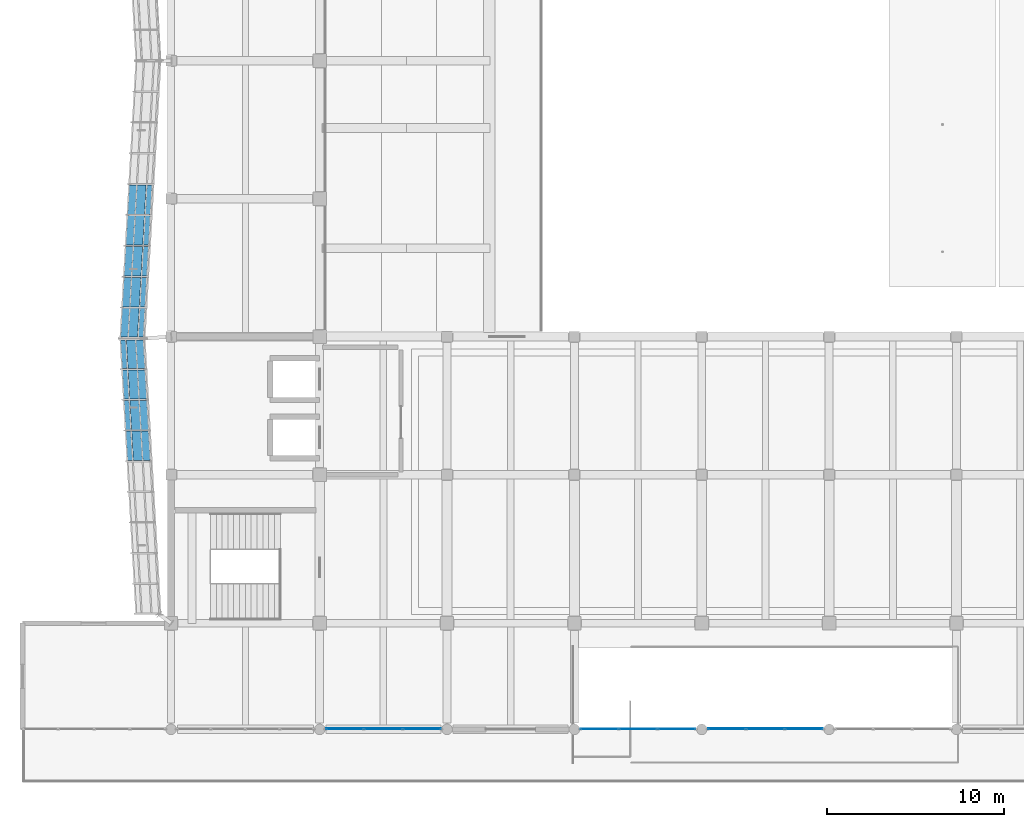
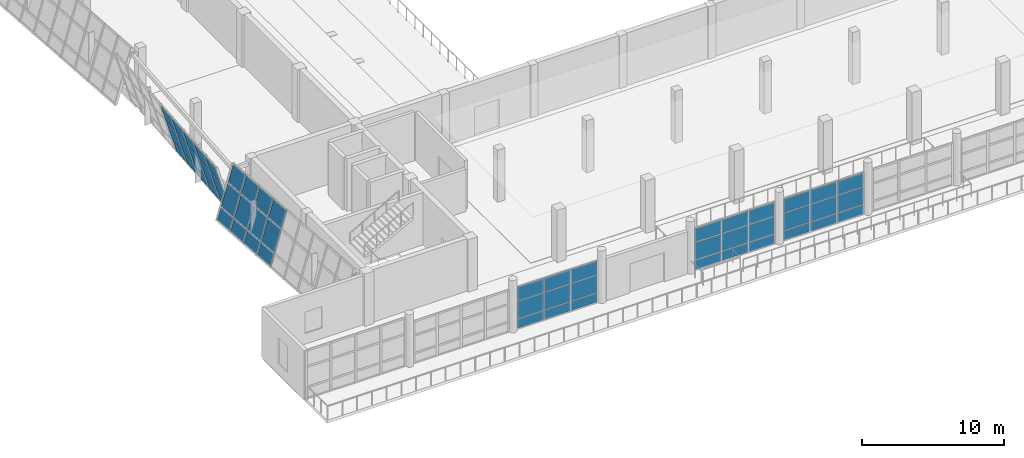
# One storey, part 38 of 71: 54 plates, 5 elements without a shape of their own.
"""IFC4 building model written with IfcOpenShell, lengths in metres."""

from ifc_helpers import new_model, si_unit, direction, frame, origin, place, context, subcontext, project, spatial, polyline, outline, extrude, material, layer, layer_set, type_object, element, aggregate, save


model = new_model("IFC4")

# Units and contexts
model_context = context("Model", 3, precision=1e-05, world=origin(), true_north=direction((0.0, 1.0)))
body_context = subcontext(model_context, "Body", "Model", "MODEL_VIEW")
ifc_project = project(units=[si_unit("LENGTHUNIT", "METRE"), si_unit("AREAUNIT", "SQUARE_METRE"), si_unit("VOLUMEUNIT", "CUBIC_METRE"), si_unit("PLANEANGLEUNIT", "RADIAN"), si_unit("MASSUNIT", "GRAM", prefix="KILO")], contexts=[model_context])

# Site, building, storey
site_placement = place(None, origin())
site = spatial("IfcSite", under=ifc_project, at=site_placement, CompositionType="ELEMENT")
building_placement = place(site_placement, origin())
building = spatial("IfcBuilding", under=site, at=building_placement, Name="Pellamere Symphony Hall", CompositionType="ELEMENT")
storey_placement = place(building_placement, frame((0.0, 0.0, 15.0)))
storey = spatial("IfcBuildingStorey", under=building, at=storey_placement, Name="L03", CompositionType="ELEMENT", Elevation=15.0)

# Curtain wall, plates
ifc_material_1 = material(Name="Thermally Broken Anodised Aluminium 6063-T6 Curtain Wall", Category="aluminium")
curtain_wall_type_1 = type_object("IfcCurtainWallType", Name="Curtain Wall CW-02 (Winter-Garden South Concourse Curtain Wall)", PredefinedType="NOTDEFINED", material=ifc_material_1)
curtain_wall_1_placement = place(storey_placement, origin())
curtain_wall_1 = element("IfcCurtainWall", 1, at=curtain_wall_1_placement, inside=storey, type_object=curtain_wall_type_1, Name="Winter-Garden South Curtain Wall (L03 Bay 5)", PredefinedType="NOTDEFINED")
ifc_material_2 = material(Name="Triple Low-E Argon Acoustic Glazing 36mm", Category="glass")
ifc_layer_1 = layer(ifc_material_2, 0.035888671875, Name="Triple Low-E Argon Acoustic Glazing 36mm")
ifc_layer_set_1 = layer_set([ifc_layer_1], Name="Triple Low-E Argon Acoustic Glazing 36mm")
plate_type_1 = type_object("IfcPlateType", Name="Facade Panel GL-01 36mm", PredefinedType="CURTAIN_PANEL", material=ifc_layer_set_1)
plate_1_placement = place(storey_placement, frame((73.56494140625, 24.0, 0.06494140625), z_axis=(0.0, -1.0, 0.0), x_axis=(1.0, 0.0, 0.0)))
plate_1 = element("IfcPlate", 2, at=plate_1_placement, type_object=plate_type_1, Name="CW2-089 crystal glass panel 1.1", PredefinedType="CURTAIN_PANEL", context=body_context, shape_type="SweptSolid", body=[
    extrude(outline(polyline([(0.0, 0.0), (2.1025390625, 0.0), (2.1025390625, 0.776123046875), (0.0, 0.776123046875), (0.0, 0.0)])), origin(), (0.0, 0.0, -1.0), 0.035888671875),
])
plate_2_placement = place(storey_placement, frame((73.56494140625, 24.0, 0.906005859375), z_axis=(0.0, -1.0, 0.0), x_axis=(1.0, 0.0, 0.0)))
plate_2 = element("IfcPlate", 3, at=plate_2_placement, type_object=plate_type_1, Name="CW2-089 crystal glass panel 1.2", PredefinedType="CURTAIN_PANEL", context=body_context, shape_type="SweptSolid", body=[
    extrude(outline(polyline([(0.0, 0.0), (2.1025390625, 0.0), (2.1025390625, 1.4638671875), (0.0, 1.4638671875), (0.0, 0.0)])), origin(), (0.0, 0.0, -1.0), 0.035888671875),
])
plate_3_placement = place(storey_placement, frame((73.56494140625, 24.0, 2.434814453125), z_axis=(0.0, -1.0, 0.0), x_axis=(1.0, 0.0, 0.0)))
plate_3 = element("IfcPlate", 4, at=plate_3_placement, type_object=plate_type_1, Name="CW2-089 crystal glass panel 1.3", PredefinedType="CURTAIN_PANEL", context=body_context, shape_type="SweptSolid", body=[
    extrude(outline(polyline([(0.0, 0.0), (2.1025390625, 0.0), (2.1025390625, 1.14013671875), (0.0, 1.14013671875), (0.0, 0.0)])), origin(), (0.0, 0.0, -1.0), 0.035888671875),
])
plate_4_placement = place(storey_placement, frame((75.732421875, 24.0, 0.06494140625), z_axis=(0.0, -1.0, 0.0), x_axis=(1.0, 0.0, 0.0)))
plate_4 = element("IfcPlate", 5, at=plate_4_placement, type_object=plate_type_1, Name="CW2-089 crystal glass panel 2.1", PredefinedType="CURTAIN_PANEL", context=body_context, shape_type="SweptSolid", body=[
    extrude(outline(polyline([(0.0, 0.0), (2.135009765625, 0.0), (2.135009765625, 0.776123046875), (0.0, 0.776123046875), (0.0, 0.0)])), origin(), (0.0, 0.0, -1.0), 0.035888671875),
])
plate_5_placement = place(storey_placement, frame((75.732421875, 24.0, 0.906005859375), z_axis=(0.0, -1.0, 0.0), x_axis=(1.0, 0.0, 0.0)))
plate_5 = element("IfcPlate", 6, at=plate_5_placement, type_object=plate_type_1, Name="CW2-089 crystal glass panel 2.2", PredefinedType="CURTAIN_PANEL", context=body_context, shape_type="SweptSolid", body=[
    extrude(outline(polyline([(0.0, 0.0), (2.135009765625, 0.0), (2.135009765625, 1.4638671875), (0.0, 1.4638671875), (0.0, 0.0)])), origin(), (0.0, 0.0, -1.0), 0.035888671875),
])
plate_6_placement = place(storey_placement, frame((75.732421875, 24.0, 2.434814453125), z_axis=(0.0, -1.0, 0.0), x_axis=(1.0, 0.0, 0.0)))
plate_6 = element("IfcPlate", 7, at=plate_6_placement, type_object=plate_type_1, Name="CW2-089 crystal glass panel 2.3", PredefinedType="CURTAIN_PANEL", context=body_context, shape_type="SweptSolid", body=[
    extrude(outline(polyline([(0.0, 0.0), (2.135009765625, 0.0), (2.135009765625, 1.14013671875), (0.0, 1.14013671875), (0.0, 0.0)])), origin(), (0.0, 0.0, -1.0), 0.035888671875),
])
plate_7_placement = place(storey_placement, frame((77.9326171875, 24.0, 0.06494140625), z_axis=(0.0, -1.0, 0.0), x_axis=(1.0, 0.0, 0.0)))
plate_7 = element("IfcPlate", 8, at=plate_7_placement, type_object=plate_type_1, Name="CW2-089 crystal glass panel 3.1", PredefinedType="CURTAIN_PANEL", context=body_context, shape_type="SweptSolid", body=[
    extrude(outline(polyline([(0.0, 0.0), (2.102294921875, 0.0), (2.102294921875, 0.776123046875), (0.0, 0.776123046875), (0.0, 0.0)])), origin(), (0.0, 0.0, -1.0), 0.035888671875),
])
plate_8_placement = place(storey_placement, frame((77.9326171875, 24.0, 0.906005859375), z_axis=(0.0, -1.0, 0.0), x_axis=(1.0, 0.0, 0.0)))
plate_8 = element("IfcPlate", 9, at=plate_8_placement, type_object=plate_type_1, Name="CW2-089 crystal glass panel 3.2", PredefinedType="CURTAIN_PANEL", context=body_context, shape_type="SweptSolid", body=[
    extrude(outline(polyline([(0.0, 0.0), (2.102294921875, 0.0), (2.102294921875, 1.4638671875), (0.0, 1.4638671875), (0.0, 0.0)])), origin(), (0.0, 0.0, -1.0), 0.035888671875),
])
plate_9_placement = place(storey_placement, frame((77.9326171875, 24.0, 2.434814453125), z_axis=(0.0, -1.0, 0.0), x_axis=(1.0, 0.0, 0.0)))
plate_9 = element("IfcPlate", 10, at=plate_9_placement, type_object=plate_type_1, Name="CW2-089 crystal glass panel 3.3", PredefinedType="CURTAIN_PANEL", context=body_context, shape_type="SweptSolid", body=[
    extrude(outline(polyline([(0.0, 0.0), (2.102294921875, 0.0), (2.102294921875, 1.14013671875), (0.0, 1.14013671875), (0.0, 0.0)])), origin(), (0.0, 0.0, -1.0), 0.035888671875),
])
aggregate(curtain_wall_1, [plate_1, plate_2, plate_3, plate_4, plate_5, plate_6, plate_7, plate_8, plate_9])

curtain_wall_type_2 = type_object("IfcCurtainWallType", Name="Curtain Wall CW-01 (Tilted Faceted Crystal Low-Iron Curtain Wall)", PredefinedType="NOTDEFINED", material=ifc_material_1)
curtain_wall_2_placement = place(storey_placement, origin())
curtain_wall_2 = element("IfcCurtainWall", 11, at=curtain_wall_2_placement, inside=storey, type_object=curtain_wall_type_2, Name="Crystal Faceted Curtain Wall CW-CR17 (L03)", PredefinedType="NOTDEFINED")
ifc_material_3 = material(Name="Triple Laminated Acoustic Crystal Glazing 42mm", Category="glass")
ifc_layer_2 = layer(ifc_material_3, 0.0419921875, Name="Triple Laminated Acoustic Crystal Glazing 42mm")
ifc_layer_set_2 = layer_set([ifc_layer_2], Name="Triple Laminated Acoustic Crystal Glazing 42mm")
plate_type_2 = type_object("IfcPlateType", Name="Facade Panel GL-02 42mm", PredefinedType="CURTAIN_PANEL", material=ifc_layer_set_2)
plate_10_placement = place(storey_placement, frame((49.32666015625, 54.78466796875, 0.072021484375), z_axis=(0.957324034181, -0.054880231266, 0.283758442686), x_axis=(-0.057232737422, -0.998360863499, 0.0)))
plate_10 = element("IfcPlate", 12, at=plate_10_placement, type_object=plate_type_2, Name="CW1-050 crystal glass panel 5.1", PredefinedType="CURTAIN_PANEL", context=body_context, shape_type="SweptSolid", body=[
    extrude(outline(polyline([(0.0, 0.0), (1.6721745160346768, 6.938893903907228e-18), (1.6886624628505897, -1.013586494914077), (0.01648794681591293, -1.013586494914077), (0.0, 0.0)])), origin(), (0.0, 0.0, -1.0), 0.0419921875),
])
plate_11_placement = place(storey_placement, frame((49.017333984375, 54.78466796875, 1.115966796875), z_axis=(0.957371163384, -0.054882933028, 0.283598870206), x_axis=(-0.057232737422, -0.998360863499, 0.0)))
plate_11 = element("IfcPlate", 13, at=plate_11_placement, type_object=plate_type_2, Name="CW1-050 crystal glass panel 5.2", PredefinedType="CURTAIN_PANEL", context=body_context, shape_type="SweptSolid", body=[
    extrude(outline(polyline([(0.0, 0.0), (1.6721745160346768, -3.469446951953614e-18), (1.7029985928786633, -1.8959575604045968), (0.030824076843986373, -1.895957560404597), (0.0, 0.0)])), origin(), (0.0, 0.0, -1.0), 0.0419921875),
])
plate_12_placement = place(storey_placement, frame((48.45751953125, 54.78466796875, 3.005859375), z_axis=(0.95734975691, -0.054881705866, 0.283671361447), x_axis=(-0.057232737422, -0.998360863499, 0.0)))
plate_12 = element("IfcPlate", 14, at=plate_12_placement, type_object=plate_type_2, Name="CW1-050 crystal glass panel 5.3", PredefinedType="CURTAIN_PANEL", context=body_context, shape_type="SweptSolid", body=[
    extrude(outline(polyline([(0.0, 0.0), (1.6721745160346768, 3.469446951953614e-18), (1.6962916314620207, -1.4830401146342416), (0.024117115427343825, -1.4830401146342416), (0.0, 0.0)])), origin(), (0.0, 0.0, -1.0), 0.0419921875),
])
plate_13_placement = place(storey_placement, frame((49.2265625, 53.040283203125, 0.072021484375), z_axis=(0.957324034181, -0.054880231266, 0.283758442686), x_axis=(-0.057232737422, -0.998360863499, 0.0)))
plate_13 = element("IfcPlate", 15, at=plate_13_placement, type_object=plate_type_2, Name="CW1-050 crystal glass panel 6.1", PredefinedType="CURTAIN_PANEL", context=body_context, shape_type="SweptSolid", body=[
    extrude(outline(polyline([(0.0, 0.0), (1.6721745160346768, 6.938893903907228e-18), (1.6886624628505897, -1.013586494914077), (0.01648794681591293, -1.013586494914077), (0.0, 0.0)])), origin(), (0.0, 0.0, -1.0), 0.0419921875),
])
plate_14_placement = place(storey_placement, frame((48.917236328125, 53.040283203125, 1.115966796875), z_axis=(0.957371163384, -0.054882933028, 0.283598870206), x_axis=(-0.057232737422, -0.998360863499, 0.0)))
plate_14 = element("IfcPlate", 16, at=plate_14_placement, type_object=plate_type_2, Name="CW1-050 crystal glass panel 6.2", PredefinedType="CURTAIN_PANEL", context=body_context, shape_type="SweptSolid", body=[
    extrude(outline(polyline([(0.0, 0.0), (1.6721745160346768, -3.469446951953614e-18), (1.7029985928786633, -1.8959575604045968), (0.030824076843986373, -1.895957560404597), (0.0, 0.0)])), origin(), (0.0, 0.0, -1.0), 0.0419921875),
])
plate_15_placement = place(storey_placement, frame((48.357421875, 53.040283203125, 3.005859375), z_axis=(0.95734975691, -0.054881705866, 0.283671361447), x_axis=(-0.057232737422, -0.998360863499, 0.0)))
plate_15 = element("IfcPlate", 17, at=plate_15_placement, type_object=plate_type_2, Name="CW1-050 crystal glass panel 6.3", PredefinedType="CURTAIN_PANEL", context=body_context, shape_type="SweptSolid", body=[
    extrude(outline(polyline([(0.0, 0.0), (1.6721745160346768, 3.469446951953614e-18), (1.6962916314620207, -1.4830401146342416), (0.024117115427343825, -1.4830401146342416), (0.0, 0.0)])), origin(), (0.0, 0.0, -1.0), 0.0419921875),
])
plate_16_placement = place(storey_placement, frame((49.12646484375, 51.2958984375, 0.072021484375), z_axis=(0.957389759102, -0.05487597391, 0.283537434308), x_axis=(-0.057224396245, -0.998361341637, 0.0)))
plate_16 = element("IfcPlate", 18, at=plate_16_placement, type_object=plate_type_2, Name="CW1-050 crystal glass panel 7.1", PredefinedType="CURTAIN_PANEL", context=body_context, shape_type="SweptSolid", body=[
    extrude(outline(polyline([(0.0, 0.0), (1.6724182565382377, 0.0), (1.6888898295785688, -1.0135173974762153), (0.016471573040331075, -1.0135173974762153), (0.0, 0.0)])), origin(), (0.0, 0.0, -1.0), 0.0419921875),
])
plate_17_placement = place(storey_placement, frame((48.8173828125, 51.2958984375, 1.115966796875), z_axis=(0.957371585014, -0.054874932201, 0.283598995104), x_axis=(-0.057224396245, -0.998361341637, 0.0)))
plate_17 = element("IfcPlate", 19, at=plate_17_placement, type_object=plate_type_2, Name="CW1-050 crystal glass panel 7.2", PredefinedType="CURTAIN_PANEL", context=body_context, shape_type="SweptSolid", body=[
    extrude(outline(polyline([(0.0, 0.0), (1.6724182565382377, -3.469446951953614e-18), (1.703237841039485, -1.895957633434831), (0.030819584501247117, -1.895957633434831), (0.0, 0.0)])), origin(), (0.0, 0.0, -1.0), 0.0419921875),
])
plate_18_placement = place(storey_placement, frame((48.25732421875, 51.2958984375, 3.005859375), z_axis=(0.957394802248, -0.054876262974, 0.283520349164), x_axis=(-0.057224396245, -0.998361341637, 0.0)))
plate_18 = element("IfcPlate", 20, at=plate_18_placement, type_object=plate_type_2, Name="CW1-050 crystal glass panel 7.3", PredefinedType="CURTAIN_PANEL", context=body_context, shape_type="SweptSolid", body=[
    extrude(outline(polyline([(0.0, 0.0), (1.6724182565382377, 3.469446951953614e-18), (1.6965178863046255, -1.482971047959765), (0.024099629766387704, -1.482971047959765), (0.0, 0.0)])), origin(), (0.0, 0.0, -1.0), 0.0419921875),
])
plate_19_placement = place(storey_placement, frame((49.026611328125, 49.551513671875, 0.072021484375), z_axis=(0.957324455748, -0.054872230831, 0.283758567642), x_axis=(-0.057224396245, -0.998361341637, 0.0)))
plate_19 = element("IfcPlate", 21, at=plate_19_placement, type_object=plate_type_2, Name="CW1-050 crystal glass panel 8.1", PredefinedType="CURTAIN_PANEL", context=body_context, shape_type="SweptSolid", body=[
    extrude(outline(polyline([(0.0, 0.0), (1.6724182565382377, 0.0), (1.6889038003784336, -1.0135865340002803), (0.016485543840195648, -1.0135865340002805), (0.0, 0.0)])), origin(), (0.0, 0.0, -1.0), 0.0419921875),
])
plate_20_placement = place(storey_placement, frame((48.71728515625, 49.551513671875, 1.115966796875), z_axis=(0.957371585014, -0.054874932201, 0.283598995104), x_axis=(-0.057224396245, -0.998361341637, 0.0)))
plate_20 = element("IfcPlate", 22, at=plate_20_placement, type_object=plate_type_2, Name="CW1-050 crystal glass panel 8.2", PredefinedType="CURTAIN_PANEL", context=body_context, shape_type="SweptSolid", body=[
    extrude(outline(polyline([(0.0, 0.0), (1.6724182565382377, -3.469446951953614e-18), (1.703237841039485, -1.895957633434831), (0.030819584501247117, -1.895957633434831), (0.0, 0.0)])), origin(), (0.0, 0.0, -1.0), 0.0419921875),
])
plate_21_placement = place(storey_placement, frame((48.157470703125, 49.551513671875, 3.005859375), z_axis=(0.957350178511, -0.054873705217, 0.283671486371), x_axis=(-0.057224396245, -0.998361341637, 0.0)))
plate_21 = element("IfcPlate", 23, at=plate_21_placement, type_object=plate_type_2, Name="CW1-050 crystal glass panel 8.3", PredefinedType="CURTAIN_PANEL", context=body_context, shape_type="SweptSolid", body=[
    extrude(outline(polyline([(0.0, 0.0), (1.6724182565382377, -3.469446951953614e-18), (1.69653185710449, -1.48304017178855), (0.024113600566252277, -1.48304017178855), (0.0, 0.0)])), origin(), (0.0, 0.0, -1.0), 0.0419921875),
])
plate_22_placement = place(storey_placement, frame((48.926513671875, 47.806884765625, 0.072021484375), z_axis=(0.957354651322, -0.054920794133, 0.283647277376), x_axis=(-0.057267086561, -0.998358893578, -2.0277222e-05)))
plate_22 = element("IfcPlate", 24, at=plate_22_placement, type_object=plate_type_2, Name="CW1-050 crystal glass panel 9.1", PredefinedType="CURTAIN_PANEL", context=body_context, shape_type="SweptSolid", body=[
    extrude(outline(polyline([(0.0, 0.0), (1.634756469169837, 3.469446951953614e-18), (1.6512346035740397, -1.0135866477473128), (0.016464153181897846, -1.0135175112981798), (0.0, 0.0)])), origin(), (0.0, 0.0, -1.0), 0.0419921875),
])
plate_23_placement = place(storey_placement, frame((48.6171875, 47.806884765625, 1.115966796875), z_axis=(0.957372886168, -0.054850234166, 0.283599380541), x_axis=(-0.057198647566, -0.998362817175, 0.0)))
plate_23 = element("IfcPlate", 25, at=plate_23_placement, type_object=plate_type_2, Name="CW1-050 crystal glass panel 9.2", PredefinedType="CURTAIN_PANEL", context=body_context, shape_type="SweptSolid", body=[
    extrude(outline(polyline([(0.0, 0.0), (1.6347564733470132, 0.0), (1.665562190273358, -1.8959578588073336), (0.03080571692634491, -1.8959578588073336), (0.0, 0.0)])), origin(), (0.0, 0.0, -1.0), 0.0419921875),
])
plate_24_placement = place(storey_placement, frame((48.057373046875, 47.806884765625, 3.005859375), z_axis=(0.957370031361, -0.054921676444, 0.283595191264), x_axis=(-0.05726708876, -0.998358893452, -2.0273825e-05)))
plate_24 = element("IfcPlate", 26, at=plate_24_placement, type_object=plate_type_2, Name="CW1-050 crystal glass panel 9.3", PredefinedType="CURTAIN_PANEL", context=body_context, shape_type="SweptSolid", body=[
    extrude(outline(polyline([(0.0, 0.0), (1.634756469169703, 0.0), (1.6588592280006327, -1.4830403434262498), (0.024088777608087905, -1.482971219672634), (0.0, 0.0)])), origin(), (0.0, 0.0, -1.0), 0.0419921875),
])
aggregate(curtain_wall_2, [plate_10, plate_11, plate_12, plate_13, plate_14, plate_15, plate_16, plate_17, plate_18, plate_19, plate_20, plate_21, plate_22, plate_23, plate_24])

curtain_wall_3_placement = place(storey_placement, origin())
curtain_wall_3 = element("IfcCurtainWall", 27, at=curtain_wall_3_placement, inside=storey, type_object=curtain_wall_type_2, Name="Crystal Faceted Curtain Wall CW-CR18 (L03)", PredefinedType="NOTDEFINED")
plate_25_placement = place(storey_placement, frame((47.542724609375, 46.025146484375, 0.072021484375), z_axis=(-0.957371473548, -0.05522187867, 0.283532018918), x_axis=(0.057585007883, -0.99834060664, 0.0)))
plate_25 = element("IfcPlate", 28, at=plate_25_placement, type_object=plate_type_2, Name="CW1-055 crystal glass panel 1.1", PredefinedType="CURTAIN_PANEL", context=body_context, shape_type="SweptSolid", body=[
    extrude(outline(polyline([(0.0, 0.0), (1.6237882534451713, 0.0), (1.6403636255872818, 1.0135157052279624), (0.01657537214211032, 1.0135157052279624), (0.0, 0.0)])), origin(), (0.0, 0.0, -1.0), 0.0419921875),
])
plate_26_placement = place(storey_placement, frame((47.851806640625, 46.025146484375, 1.115966796875), z_axis=(-0.957353300502, -0.055220830436, 0.283593578744), x_axis=(0.057585007883, -0.99834060664, 0.0)))
plate_26 = element("IfcPlate", 29, at=plate_26_placement, type_object=plate_type_2, Name="CW1-055 crystal glass panel 1.2", PredefinedType="CURTAIN_PANEL", context=body_context, shape_type="SweptSolid", body=[
    extrude(outline(polyline([(0.0, 0.0), (1.6237882534451713, -3.469446951953614e-18), (1.654802054077483, 1.895954466420271), (0.031013800632311597, 1.895954466420271), (0.0, 0.0)])), origin(), (0.0, 0.0, -1.0), 0.0419921875),
])
plate_27_placement = place(storey_placement, frame((48.411865234375, 46.025146484375, 3.005859375), z_axis=(-0.957376516406, -0.055222169546, 0.283514934043), x_axis=(0.057585007883, -0.99834060664, 0.0)))
plate_27 = element("IfcPlate", 30, at=plate_27_placement, type_object=plate_type_2, Name="CW1-055 crystal glass panel 1.3", PredefinedType="CURTAIN_PANEL", context=body_context, shape_type="SweptSolid", body=[
    extrude(outline(polyline([(0.0, 0.0), (1.6237882534451713, -3.469446951953614e-18), (1.648039752126376, 1.482968572173219), (0.024251498681204672, 1.482968572173219), (0.0, 0.0)])), origin(), (0.0, 0.0, -1.0), 0.0419921875),
])
plate_28_placement = place(storey_placement, frame((47.640380859375, 44.329345703125, 0.072021484375), z_axis=(-0.957305301098, -0.055234571391, 0.283752890052), x_axis=(0.057602168051, -0.998339616682, 0.0)))
plate_28 = element("IfcPlate", 31, at=plate_28_placement, type_object=plate_type_2, Name="CW1-055 crystal glass panel 2.1", PredefinedType="CURTAIN_PANEL", context=body_context, shape_type="SweptSolid", body=[
    extrude(outline(polyline([(0.0, 0.0), (1.6614500501978287, -3.469446951953614e-18), (1.6780444247828616, 1.0135847580713415), (0.01659437458503302, 1.0135847580713415), (0.0, 0.0)])), origin(), (0.0, 0.0, -1.0), 0.0419921875),
])
plate_29_placement = place(storey_placement, frame((47.94970703125, 44.329345703125, 1.115966796875), z_axis=(-0.957352427535, -0.055237290491, 0.283593320148), x_axis=(0.057602168051, -0.998339616682, 0.0)))
plate_29 = element("IfcPlate", 32, at=plate_29_placement, type_object=plate_type_2, Name="CW1-055 crystal glass panel 2.2", PredefinedType="CURTAIN_PANEL", context=body_context, shape_type="SweptSolid", body=[
    extrude(outline(polyline([(0.0, 0.0), (1.6614500501978287, -3.469446951953614e-18), (1.6924730928542548, 1.8959543152177933), (0.031023042656426136, 1.8959543152177933), (0.0, 0.0)])), origin(), (0.0, 0.0, -1.0), 0.0419921875),
])
plate_30_placement = place(storey_placement, frame((48.509521484375, 44.329345703125, 3.005859375), z_axis=(-0.957331022317, -0.055236055453, 0.283665810218), x_axis=(0.057602168051, -0.998339616682, 0.0)))
plate_30 = element("IfcPlate", 33, at=plate_30_placement, type_object=plate_type_2, Name="CW1-055 crystal glass panel 2.3", PredefinedType="CURTAIN_PANEL", context=body_context, shape_type="SweptSolid", body=[
    extrude(outline(polyline([(0.0, 0.0), (1.6614500501978287, 6.938893903907228e-18), (1.6857228387857668, 1.483037574913409), (0.02427278858793813, 1.483037574913409), (0.0, 0.0)])), origin(), (0.0, 0.0, -1.0), 0.0419921875),
])
plate_31_placement = place(storey_placement, frame((47.740478515625, 42.595947265625, 0.072021484375), z_axis=(-0.95737017047, -0.055246445874, 0.283531633003), x_axis=(0.057610619545, -0.998339129012, 0.0)))
plate_31 = element("IfcPlate", 34, at=plate_31_placement, type_object=plate_type_2, Name="CW1-055 crystal glass panel 3.1", PredefinedType="CURTAIN_PANEL", context=body_context, shape_type="SweptSolid", body=[
    extrude(outline(polyline([(0.0, 0.0), (1.6612063149993754, -3.469446951953614e-18), (1.6777890592484324, 1.0135155846352601), (0.0165827442490568, 1.0135155846352604), (0.0, 0.0)])), origin(), (0.0, 0.0, -1.0), 0.0419921875),
])
plate_32_placement = place(storey_placement, frame((48.0498046875, 42.595947265625, 1.115966796875), z_axis=(-0.957351997497, -0.055245397176, 0.283593192759), x_axis=(0.057610619545, -0.998339129012, 0.0)))
plate_32 = element("IfcPlate", 35, at=plate_32_placement, type_object=plate_type_2, Name="CW1-055 crystal glass panel 3.2", PredefinedType="CURTAIN_PANEL", context=body_context, shape_type="SweptSolid", body=[
    extrude(outline(polyline([(0.0, 0.0), (1.6612063149993754, -3.469446951953614e-18), (1.6922339094127932, 1.8959542407330272), (0.031027594413417556, 1.8959542407330272), (0.0, 0.0)])), origin(), (0.0, 0.0, -1.0), 0.0419921875),
])
plate_33_placement = place(storey_placement, frame((48.609619140625, 42.595947265625, 3.005859375), z_axis=(-0.957375213306, -0.055246736879, 0.283514548147), x_axis=(0.057610619545, -0.998339129012, 0.0)))
plate_33 = element("IfcPlate", 36, at=plate_33_placement, type_object=plate_type_2, Name="CW1-055 crystal glass panel 3.3", PredefinedType="CURTAIN_PANEL", context=body_context, shape_type="SweptSolid", body=[
    extrude(outline(polyline([(0.0, 0.0), (1.6612063149993754, -6.938893903907228e-18), (1.685468599842143, 1.482968395744147), (0.02426228484276758, 1.482968395744147), (0.0, 0.0)])), origin(), (0.0, 0.0, -1.0), 0.0419921875),
])
plate_34_placement = place(storey_placement, frame((47.840576171875, 40.862548828125, 0.072021484375), z_axis=(-0.957341250423, -0.055174311724, 0.283643306926), x_axis=(0.057531487585, -0.998343692091, -1.9953977e-05)))
plate_34 = element("IfcPlate", 37, at=plate_34_placement, type_object=plate_type_2, Name="CW1-055 crystal glass panel 4.1", PredefinedType="CURTAIN_PANEL", context=body_context, shape_type="SweptSolid", body=[
    extrude(outline(polyline([(0.0, 0.0), (1.6611922636769045, -3.469446951953614e-18), (1.6777468824677166, 1.0135854014350005), (0.016540573017476246, 1.0135162670094096), (0.0, 0.0)])), origin(), (0.0, 0.0, -1.0), 0.0419921875),
])
plate_35_placement = place(storey_placement, frame((48.149658203125, 40.862548828125, 1.115966796875), z_axis=(-0.957351997497, -0.055245397176, 0.283593192759), x_axis=(0.057610619545, -0.998339129012, 0.0)))
plate_35 = element("IfcPlate", 38, at=plate_35_placement, type_object=plate_type_2, Name="CW1-055 crystal glass panel 4.2", PredefinedType="CURTAIN_PANEL", context=body_context, shape_type="SweptSolid", body=[
    extrude(outline(polyline([(0.0, 0.0), (1.6612063149993754, -3.469446951953614e-18), (1.6922339094127932, 1.8959542407330272), (0.031027594413417556, 1.8959542407330272), (0.0, 0.0)])), origin(), (0.0, 0.0, -1.0), 0.0419921875),
])
plate_36_placement = place(storey_placement, frame((48.70947265625, 40.862548828125, 3.005859375), z_axis=(-0.957330592308, -0.055244161959, 0.283665682802), x_axis=(0.057610619545, -0.998339129012, 0.0)))
plate_36 = element("IfcPlate", 39, at=plate_36_placement, type_object=plate_type_2, Name="CW1-055 crystal glass panel 4.3", PredefinedType="CURTAIN_PANEL", context=body_context, shape_type="SweptSolid", body=[
    extrude(outline(polyline([(0.0, 0.0), (1.6612063149993754, 0.0), (1.6854826649348056, 1.4830375166207674), (0.024276349935430055, 1.4830375166207674), (0.0, 0.0)])), origin(), (0.0, 0.0, -1.0), 0.0419921875),
])
aggregate(curtain_wall_3, [plate_25, plate_26, plate_27, plate_28, plate_29, plate_30, plate_31, plate_32, plate_33, plate_34, plate_35, plate_36])

curtain_wall_4_placement = place(storey_placement, origin())
curtain_wall_4 = element("IfcCurtainWall", 40, at=curtain_wall_4_placement, inside=storey, type_object=curtain_wall_type_1, Name="Winter-Garden South Curtain Wall (L03 Bay 3)", PredefinedType="NOTDEFINED")
ifc_material_4 = material(Name="Mineral-Wool Insulated Dark Zinc Spandrel Panel", Category="aluminium")
ifc_layer_3 = layer(ifc_material_4, 0.054931640625, Name="Mineral-Wool Insulated Dark Zinc Spandrel Panel")
ifc_layer_set_3 = layer_set([ifc_layer_3], Name="Mineral-Wool Insulated Dark Zinc Spandrel Panel")
plate_type_3 = type_object("IfcPlateType", Name="Facade Panel SP-02 55mm", PredefinedType="CURTAIN_PANEL", material=ifc_layer_set_3)
plate_37_placement = place(storey_placement, frame((59.1650390625, 24.0, 0.06494140625), z_axis=(0.0, -1.0, 0.0), x_axis=(1.0, 0.0, 0.0)))
plate_37 = element("IfcPlate", 41, at=plate_37_placement, type_object=plate_type_3, Name="CW2-088 crystal glass panel 1.1", PredefinedType="CURTAIN_PANEL", context=body_context, shape_type="SweptSolid", body=[
    extrude(outline(polyline([(0.0, 0.0), (2.1025390625, 0.0), (2.1025390625, 0.776123046875), (0.0, 0.776123046875), (0.0, 0.0)])), origin(), (0.0, 0.0, -1.0), 0.054931640625),
])
plate_38_placement = place(storey_placement, frame((59.1650390625, 24.0, 0.906005859375), z_axis=(0.0, -1.0, 0.0), x_axis=(1.0, 0.0, 0.0)))
plate_38 = element("IfcPlate", 42, at=plate_38_placement, type_object=plate_type_3, Name="CW2-088 crystal glass panel 1.2", PredefinedType="CURTAIN_PANEL", context=body_context, shape_type="SweptSolid", body=[
    extrude(outline(polyline([(0.0, 0.0), (2.1025390625, 0.0), (2.1025390625, 1.4638671875), (0.0, 1.4638671875), (0.0, 0.0)])), origin(), (0.0, 0.0, -1.0), 0.054931640625),
])
plate_39_placement = place(storey_placement, frame((59.1650390625, 24.0, 2.434814453125), z_axis=(0.0, -1.0, 0.0), x_axis=(1.0, 0.0, 0.0)))
plate_39 = element("IfcPlate", 43, at=plate_39_placement, type_object=plate_type_3, Name="CW2-088 crystal glass panel 1.3", PredefinedType="CURTAIN_PANEL", context=body_context, shape_type="SweptSolid", body=[
    extrude(outline(polyline([(0.0, 0.0), (2.1025390625, 0.0), (2.1025390625, 1.14013671875), (0.0, 1.14013671875), (0.0, 0.0)])), origin(), (0.0, 0.0, -1.0), 0.054931640625),
])
plate_40_placement = place(storey_placement, frame((61.33251953125, 24.0, 0.06494140625), z_axis=(0.0, -1.0, 0.0), x_axis=(1.0, 0.0, 0.0)))
plate_40 = element("IfcPlate", 44, at=plate_40_placement, type_object=plate_type_3, Name="CW2-088 crystal glass panel 2.1", PredefinedType="CURTAIN_PANEL", context=body_context, shape_type="SweptSolid", body=[
    extrude(outline(polyline([(0.0, 0.0), (2.135009765625, 0.0), (2.135009765625, 0.776123046875), (0.0, 0.776123046875), (0.0, 0.0)])), origin(), (0.0, 0.0, -1.0), 0.054931640625),
])
plate_41_placement = place(storey_placement, frame((61.33251953125, 24.0, 0.906005859375), z_axis=(0.0, -1.0, 0.0), x_axis=(1.0, 0.0, 0.0)))
plate_41 = element("IfcPlate", 45, at=plate_41_placement, type_object=plate_type_3, Name="CW2-088 crystal glass panel 2.2", PredefinedType="CURTAIN_PANEL", context=body_context, shape_type="SweptSolid", body=[
    extrude(outline(polyline([(0.0, 0.0), (2.135009765625, 0.0), (2.135009765625, 1.4638671875), (0.0, 1.4638671875), (0.0, 0.0)])), origin(), (0.0, 0.0, -1.0), 0.054931640625),
])
plate_42_placement = place(storey_placement, frame((61.33251953125, 24.0, 2.434814453125), z_axis=(0.0, -1.0, 0.0), x_axis=(1.0, 0.0, 0.0)))
plate_42 = element("IfcPlate", 46, at=plate_42_placement, type_object=plate_type_3, Name="CW2-088 crystal glass panel 2.3", PredefinedType="CURTAIN_PANEL", context=body_context, shape_type="SweptSolid", body=[
    extrude(outline(polyline([(0.0, 0.0), (2.135009765625, 0.0), (2.135009765625, 1.14013671875), (0.0, 1.14013671875), (0.0, 0.0)])), origin(), (0.0, 0.0, -1.0), 0.054931640625),
])
plate_43_placement = place(storey_placement, frame((63.532470703125, 24.0, 0.06494140625), z_axis=(0.0, -1.0, 0.0), x_axis=(1.0, 0.0, 0.0)))
plate_43 = element("IfcPlate", 47, at=plate_43_placement, type_object=plate_type_3, Name="CW2-088 crystal glass panel 3.1", PredefinedType="CURTAIN_PANEL", context=body_context, shape_type="SweptSolid", body=[
    extrude(outline(polyline([(0.0, 0.0), (2.1025390625, 0.0), (2.1025390625, 0.776123046875), (0.0, 0.776123046875), (0.0, 0.0)])), origin(), (0.0, 0.0, -1.0), 0.054931640625),
])
plate_44_placement = place(storey_placement, frame((63.532470703125, 24.0, 0.906005859375), z_axis=(0.0, -1.0, 0.0), x_axis=(1.0, 0.0, 0.0)))
plate_44 = element("IfcPlate", 48, at=plate_44_placement, type_object=plate_type_3, Name="CW2-088 crystal glass panel 3.2", PredefinedType="CURTAIN_PANEL", context=body_context, shape_type="SweptSolid", body=[
    extrude(outline(polyline([(0.0, 0.0), (2.1025390625, 0.0), (2.1025390625, 1.4638671875), (0.0, 1.4638671875), (0.0, 0.0)])), origin(), (0.0, 0.0, -1.0), 0.054931640625),
])
plate_45_placement = place(storey_placement, frame((63.532470703125, 24.0, 2.434814453125), z_axis=(0.0, -1.0, 0.0), x_axis=(1.0, 0.0, 0.0)))
plate_45 = element("IfcPlate", 49, at=plate_45_placement, type_object=plate_type_3, Name="CW2-088 crystal glass panel 3.3", PredefinedType="CURTAIN_PANEL", context=body_context, shape_type="SweptSolid", body=[
    extrude(outline(polyline([(0.0, 0.0), (2.1025390625, 0.0), (2.1025390625, 1.14013671875), (0.0, 1.14013671875), (0.0, 0.0)])), origin(), (0.0, 0.0, -1.0), 0.054931640625),
])
aggregate(curtain_wall_4, [plate_37, plate_38, plate_39, plate_40, plate_41, plate_42, plate_43, plate_44, plate_45])

curtain_wall_5_placement = place(storey_placement, origin())
curtain_wall_5 = element("IfcCurtainWall", 50, at=curtain_wall_5_placement, inside=storey, type_object=curtain_wall_type_1, Name="Winter-Garden South Curtain Wall (L03 Bay 6)", PredefinedType="NOTDEFINED")
plate_46_placement = place(storey_placement, frame((80.764892578125, 24.0, 0.06494140625), z_axis=(0.0, -1.0, 0.0), x_axis=(1.0, 0.0, 0.0)))
plate_46 = element("IfcPlate", 51, at=plate_46_placement, type_object=plate_type_3, Name="CW2-090 crystal glass panel 1.1", PredefinedType="CURTAIN_PANEL", context=body_context, shape_type="SweptSolid", body=[
    extrude(outline(polyline([(0.0, 0.0), (2.1025390625, 0.0), (2.1025390625, 0.776123046875), (0.0, 0.776123046875), (0.0, 0.0)])), origin(), (0.0, 0.0, -1.0), 0.054931640625),
])
plate_47_placement = place(storey_placement, frame((80.764892578125, 24.0, 0.906005859375), z_axis=(0.0, -1.0, 0.0), x_axis=(1.0, 0.0, 0.0)))
plate_47 = element("IfcPlate", 52, at=plate_47_placement, type_object=plate_type_3, Name="CW2-090 crystal glass panel 1.2", PredefinedType="CURTAIN_PANEL", context=body_context, shape_type="SweptSolid", body=[
    extrude(outline(polyline([(0.0, 0.0), (2.1025390625, 0.0), (2.1025390625, 1.4638671875), (0.0, 1.4638671875), (0.0, 0.0)])), origin(), (0.0, 0.0, -1.0), 0.054931640625),
])
plate_48_placement = place(storey_placement, frame((80.764892578125, 24.0, 2.434814453125), z_axis=(0.0, -1.0, 0.0), x_axis=(1.0, 0.0, 0.0)))
plate_48 = element("IfcPlate", 53, at=plate_48_placement, type_object=plate_type_3, Name="CW2-090 crystal glass panel 1.3", PredefinedType="CURTAIN_PANEL", context=body_context, shape_type="SweptSolid", body=[
    extrude(outline(polyline([(0.0, 0.0), (2.1025390625, 0.0), (2.1025390625, 1.14013671875), (0.0, 1.14013671875), (0.0, 0.0)])), origin(), (0.0, 0.0, -1.0), 0.054931640625),
])
plate_49_placement = place(storey_placement, frame((82.9326171875, 24.0, 0.06494140625), z_axis=(0.0, -1.0, 0.0), x_axis=(1.0, 0.0, 0.0)))
plate_49 = element("IfcPlate", 54, at=plate_49_placement, type_object=plate_type_3, Name="CW2-090 crystal glass panel 2.1", PredefinedType="CURTAIN_PANEL", context=body_context, shape_type="SweptSolid", body=[
    extrude(outline(polyline([(0.0, 0.0), (2.134765625, 0.0), (2.134765625, 0.776123046875), (0.0, 0.776123046875), (0.0, 0.0)])), origin(), (0.0, 0.0, -1.0), 0.054931640625),
])
plate_50_placement = place(storey_placement, frame((82.9326171875, 24.0, 0.906005859375), z_axis=(0.0, -1.0, 0.0), x_axis=(1.0, 0.0, 0.0)))
plate_50 = element("IfcPlate", 55, at=plate_50_placement, type_object=plate_type_3, Name="CW2-090 crystal glass panel 2.2", PredefinedType="CURTAIN_PANEL", context=body_context, shape_type="SweptSolid", body=[
    extrude(outline(polyline([(0.0, 0.0), (2.134765625, 0.0), (2.134765625, 1.4638671875), (0.0, 1.4638671875), (0.0, 0.0)])), origin(), (0.0, 0.0, -1.0), 0.054931640625),
])
plate_51_placement = place(storey_placement, frame((82.9326171875, 24.0, 2.434814453125), z_axis=(0.0, -1.0, 0.0), x_axis=(1.0, 0.0, 0.0)))
plate_51 = element("IfcPlate", 56, at=plate_51_placement, type_object=plate_type_3, Name="CW2-090 crystal glass panel 2.3", PredefinedType="CURTAIN_PANEL", context=body_context, shape_type="SweptSolid", body=[
    extrude(outline(polyline([(0.0, 0.0), (2.134765625, 0.0), (2.134765625, 1.14013671875), (0.0, 1.14013671875), (0.0, 0.0)])), origin(), (0.0, 0.0, -1.0), 0.054931640625),
])
plate_52_placement = place(storey_placement, frame((85.132568359375, 24.0, 0.06494140625), z_axis=(0.0, -1.0, 0.0), x_axis=(1.0, 0.0, 0.0)))
plate_52 = element("IfcPlate", 57, at=plate_52_placement, type_object=plate_type_3, Name="CW2-090 crystal glass panel 3.1", PredefinedType="CURTAIN_PANEL", context=body_context, shape_type="SweptSolid", body=[
    extrude(outline(polyline([(0.0, 0.0), (2.1025390625, 0.0), (2.1025390625, 0.776123046875), (0.0, 0.776123046875), (0.0, 0.0)])), origin(), (0.0, 0.0, -1.0), 0.054931640625),
])
plate_53_placement = place(storey_placement, frame((85.132568359375, 24.0, 0.906005859375), z_axis=(0.0, -1.0, 0.0), x_axis=(1.0, 0.0, 0.0)))
plate_53 = element("IfcPlate", 58, at=plate_53_placement, type_object=plate_type_3, Name="CW2-090 crystal glass panel 3.2", PredefinedType="CURTAIN_PANEL", context=body_context, shape_type="SweptSolid", body=[
    extrude(outline(polyline([(0.0, 0.0), (2.1025390625, 0.0), (2.1025390625, 1.4638671875), (0.0, 1.4638671875), (0.0, 0.0)])), origin(), (0.0, 0.0, -1.0), 0.054931640625),
])
plate_54_placement = place(storey_placement, frame((85.132568359375, 24.0, 2.434814453125), z_axis=(0.0, -1.0, 0.0), x_axis=(1.0, 0.0, 0.0)))
plate_54 = element("IfcPlate", 59, at=plate_54_placement, type_object=plate_type_3, Name="CW2-090 crystal glass panel 3.3", PredefinedType="CURTAIN_PANEL", context=body_context, shape_type="SweptSolid", body=[
    extrude(outline(polyline([(0.0, 0.0), (2.1025390625, 0.0), (2.1025390625, 1.14013671875), (0.0, 1.14013671875), (0.0, 0.0)])), origin(), (0.0, 0.0, -1.0), 0.054931640625),
])
aggregate(curtain_wall_5, [plate_46, plate_47, plate_48, plate_49, plate_50, plate_51, plate_52, plate_53, plate_54])

save(model, "model.ifc")
